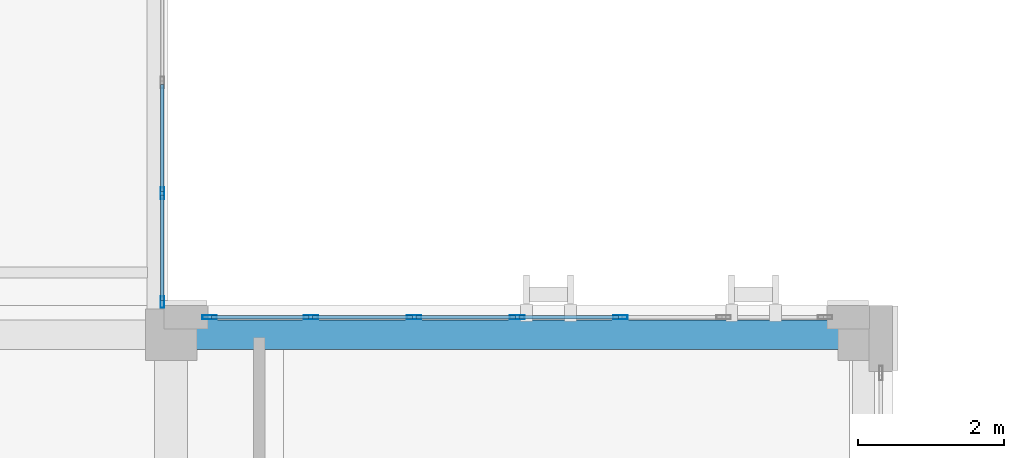
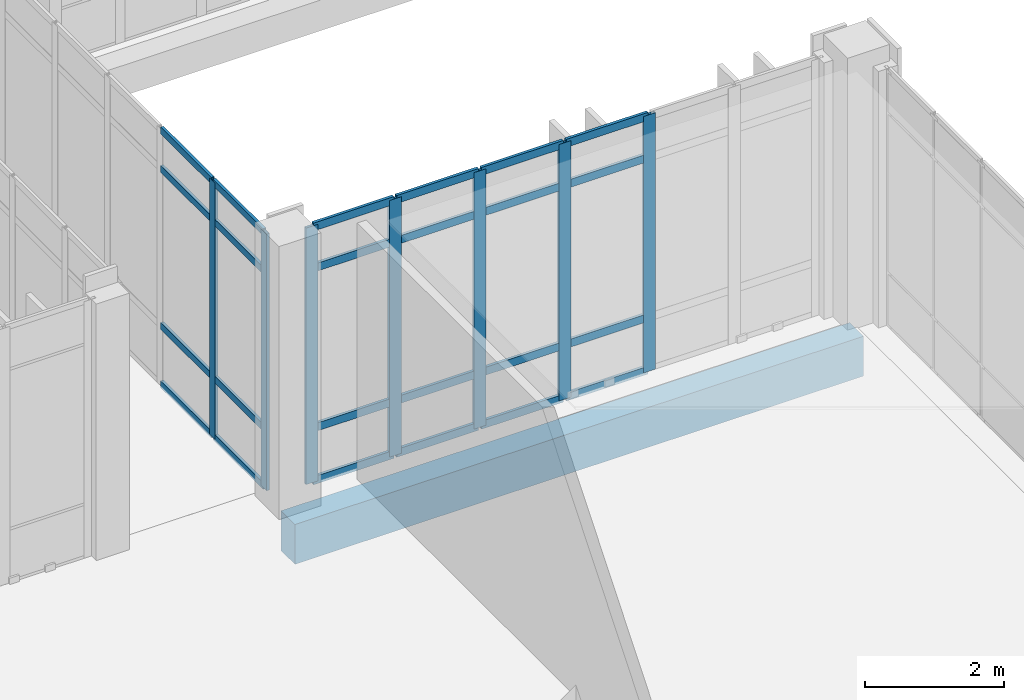
# One storey, part 42 of 189: 31 members, 1 beam, 2 elements without a shape of their own.
"""IFC4 building model written with IfcOpenShell, lengths in metres."""

from ifc_helpers import new_model, si_unit, direction, frame, origin, origin_2d, place, context, subcontext, project, spatial, rectangle, hollow_rectangle, extrude, material, layer, layer_set, material_profile, profile_set, type_object, element, aggregate, save


model = new_model("IFC4")

# Units and contexts
model_context = context("Model", 3, precision=1e-05, world=origin(), true_north=direction((0.0, 1.0)))
body_context = subcontext(model_context, "Body", "Model", "MODEL_VIEW")
ifc_project = project(units=[si_unit("LENGTHUNIT", "METRE"), si_unit("AREAUNIT", "SQUARE_METRE"), si_unit("VOLUMEUNIT", "CUBIC_METRE"), si_unit("PLANEANGLEUNIT", "RADIAN"), si_unit("MASSUNIT", "GRAM", prefix="KILO")], contexts=[model_context])

# Site, building, storey
site_placement = place(None, origin())
site = spatial("IfcSite", under=ifc_project, at=site_placement, CompositionType="ELEMENT")
building_placement = place(site_placement, origin())
building = spatial("IfcBuilding", under=site, at=building_placement, Name="Qalavern Law Courts", CompositionType="ELEMENT")
storey_placement = place(building_placement, frame((0.0, 0.0, 5.39990234375)))
storey = spatial("IfcBuildingStorey", under=building, at=storey_placement, Name="L01", CompositionType="ELEMENT", Elevation=5.39990234375)

# Curtain wall, members
ifc_material_1 = material(Name="Anodised aluminium and insulated glazing", Category="aluminium")
ifc_layer_1 = layer(ifc_material_1, 0.14990234375)
ifc_layer_set_1 = layer_set([ifc_layer_1], Name="Anodised aluminium and insulated glazing")
curtain_wall_type_1 = type_object("IfcCurtainWallType", Name="ENV-CW-BRG", PredefinedType="USERDEFINED", material=ifc_layer_set_1)
curtain_wall_1_placement = place(storey_placement, origin())
curtain_wall_1 = element("IfcCurtainWall", 1, at=curtain_wall_1_placement, inside=storey, type_object=curtain_wall_type_1, Name="Bridge BR-V2-V4 glazed curtain wall L01-2", ObjectType="UNITISED CURTAIN WALL", PredefinedType="USERDEFINED")
ifc_material_2 = material(Name="Anodised aluminium", Category="aluminium")
ifc_material_profile_1 = material_profile(ifc_material_2, hollow_rectangle(XDim=0.048095703125, YDim=0.159912109375, WallThickness=0.00390625, at=origin_2d()), Name="ALU MULLION 48x160")
ifc_profile_set_1 = profile_set([ifc_material_profile_1], Name="Anodised aluminium")
member_type_1 = type_object("IfcMemberType", Name="ENV-CWM-48x160", PredefinedType="MULLION", material=ifc_profile_set_1)
member_1_placement = place(storey_placement, frame((91.22509765625, 30.444091796875, 0.0), z_axis=(0.0, 0.0, 1.0), x_axis=(-1.0, 0.0, 0.0)))
member_1 = element("IfcMember", 2, at=member_1_placement, type_object=member_type_1, Name="CW-06 mullion 1", PredefinedType="MULLION", context=body_context, shape_type="SweptSolid", body=[
    extrude(hollow_rectangle(XDim=0.048095703125, YDim=0.159912109375, WallThickness=0.00390625, at=origin_2d()), origin(), (0.0, 0.0, 1.0), 4.510009765625),
])
member_2_placement = place(storey_placement, frame((91.22509765625, 31.931396484375, 0.0), z_axis=(0.0, 0.0, 1.0), x_axis=(-1.0, 0.0, 0.0)))
member_2 = element("IfcMember", 3, at=member_2_placement, type_object=member_type_1, Name="CW-06 mullion 2", PredefinedType="MULLION", context=body_context, shape_type="SweptSolid", body=[
    extrude(hollow_rectangle(XDim=0.048095703125, YDim=0.159912109375, WallThickness=0.00390625, at=origin_2d()), origin(), (0.0, 0.0, 1.0), 4.510009765625),
])

ifc_layer_2 = layer(ifc_material_1, 0.18505859375)
ifc_layer_set_2 = layer_set([ifc_layer_2], Name="Anodised aluminium and insulated glazing")
curtain_wall_type_2 = type_object("IfcCurtainWallType", Name="ENV-CW-HALL", PredefinedType="USERDEFINED", material=ifc_layer_set_2)
curtain_wall_2_placement = place(storey_placement, origin())
curtain_wall_2 = element("IfcCurtainWall", 4, at=curtain_wall_2_placement, inside=storey, type_object=curtain_wall_type_2, Name="V2 unitised curtain wall L01 north 1", ObjectType="UNITISED CURTAIN WALL", PredefinedType="USERDEFINED")
ifc_material_profile_2 = material_profile(ifc_material_2, hollow_rectangle(XDim=0.048095703125, YDim=0.199951171875, WallThickness=0.00439453125, at=origin_2d()), Name="ALU MULLION 48x200")
ifc_profile_set_2 = profile_set([ifc_material_profile_2], Name="Anodised aluminium")
member_type_2 = type_object("IfcMemberType", Name="ENV-CWM-48x200", PredefinedType="MULLION", material=ifc_profile_set_2)
member_3_placement = place(storey_placement, frame((97.48193359375, 30.237548828125, 0.0), z_axis=(0.0, 0.0, 1.0), x_axis=(0.0, -1.0, 0.0)))
member_3 = element("IfcMember", 5, at=member_3_placement, type_object=member_type_2, Name="CW-02 mullion 3", PredefinedType="MULLION", context=body_context, shape_type="SweptSolid", body=[
    extrude(hollow_rectangle(XDim=0.048095703125, YDim=0.199951171875, WallThickness=0.00439453125, at=origin_2d()), origin(), (0.0, 0.0, 1.0), 4.510009765625),
])
member_4_placement = place(storey_placement, frame((96.07275390625, 30.237548828125, 0.0), z_axis=(0.0, 0.0, 1.0), x_axis=(0.0, -1.0, 0.0)))
member_4 = element("IfcMember", 6, at=member_4_placement, type_object=member_type_2, Name="CW-02 mullion 4", PredefinedType="MULLION", context=body_context, shape_type="SweptSolid", body=[
    extrude(hollow_rectangle(XDim=0.048095703125, YDim=0.199951171875, WallThickness=0.00439453125, at=origin_2d()), origin(), (0.0, 0.0, 1.0), 4.510009765625),
])
member_5_placement = place(storey_placement, frame((94.663818359375, 30.237548828125, 0.0), z_axis=(0.0, 0.0, 1.0), x_axis=(0.0, -1.0, 0.0)))
member_5 = element("IfcMember", 7, at=member_5_placement, type_object=member_type_2, Name="CW-02 mullion 5", PredefinedType="MULLION", context=body_context, shape_type="SweptSolid", body=[
    extrude(hollow_rectangle(XDim=0.048095703125, YDim=0.199951171875, WallThickness=0.00439453125, at=origin_2d()), origin(), (0.0, 0.0, 1.0), 4.510009765625),
])
member_6_placement = place(storey_placement, frame((93.254638671875, 30.237548828125, 0.0), z_axis=(0.0, 0.0, 1.0), x_axis=(0.0, -1.0, 0.0)))
member_6 = element("IfcMember", 8, at=member_6_placement, type_object=member_type_2, Name="CW-02 mullion 6", PredefinedType="MULLION", context=body_context, shape_type="SweptSolid", body=[
    extrude(hollow_rectangle(XDim=0.048095703125, YDim=0.199951171875, WallThickness=0.00439453125, at=origin_2d()), origin(), (0.0, 0.0, 1.0), 4.510009765625),
])
member_7_placement = place(storey_placement, frame((91.86962890625, 30.237548828125, 0.0), z_axis=(0.0, 0.0, 1.0), x_axis=(0.0, -1.0, 0.0)))
member_7 = element("IfcMember", 9, at=member_7_placement, type_object=member_type_2, Name="CW-02 mullion 7", PredefinedType="MULLION", context=body_context, shape_type="SweptSolid", body=[
    extrude(hollow_rectangle(XDim=0.048095703125, YDim=0.199951171875, WallThickness=0.00439453125, at=origin_2d()), origin(), (0.0, 0.0, 1.0), 4.510009765625),
])

# Member
ifc_material_profile_3 = material_profile(ifc_material_2, hollow_rectangle(XDim=0.048095703125, YDim=0.1201171875, WallThickness=0.00390625, at=origin_2d()), Name="ALU TRANSOM 48x120")
ifc_profile_set_3 = profile_set([ifc_material_profile_3], Name="Anodised aluminium")
member_type_3 = type_object("IfcMemberType", Name="ENV-CWT-48x120", PredefinedType="USERDEFINED", material=ifc_profile_set_3)
member_8_placement = place(storey_placement, frame((91.22509765625, 30.468017578125, 0.024169921875), z_axis=(0.0, 1.0, 0.0), x_axis=(-1.0, 0.0, 0.0)))
member_8 = element("IfcMember", 10, at=member_8_placement, type_object=member_type_3, Name="CW-06 transom 1.1", ObjectType="TRANSOM", PredefinedType="USERDEFINED", context=body_context, shape_type="SweptSolid", body=[
    extrude(hollow_rectangle(XDim=0.048095703125, YDim=0.1201171875, WallThickness=0.00390625, at=origin_2d()), origin(), (0.0, 0.0, 1.0), 1.439453125),
])

member_9_placement = place(storey_placement, frame((91.22509765625, 30.468017578125, 1.050048828125), z_axis=(0.0, 1.0, 0.0), x_axis=(-1.0, 0.0, 0.0)))
member_9 = element("IfcMember", 11, at=member_9_placement, type_object=member_type_3, Name="CW-06 transom 1.2", ObjectType="TRANSOM", PredefinedType="USERDEFINED", context=body_context, shape_type="SweptSolid", body=[
    extrude(hollow_rectangle(XDim=0.048095703125, YDim=0.1201171875, WallThickness=0.00390625, at=origin_2d()), origin(), (0.0, 0.0, 1.0), 1.439453125),
])

member_10_placement = place(storey_placement, frame((91.22509765625, 30.468017578125, 3.81005859375), z_axis=(0.0, 1.0, 0.0), x_axis=(-1.0, 0.0, 0.0)))
member_10 = element("IfcMember", 12, at=member_10_placement, type_object=member_type_3, Name="CW-06 transom 1.3", ObjectType="TRANSOM", PredefinedType="USERDEFINED", context=body_context, shape_type="SweptSolid", body=[
    extrude(hollow_rectangle(XDim=0.048095703125, YDim=0.1201171875, WallThickness=0.00390625, at=origin_2d()), origin(), (0.0, 0.0, 1.0), 1.439453125),
])

member_11_placement = place(storey_placement, frame((91.22509765625, 30.468017578125, 4.486083984375), z_axis=(0.0, 1.0, 0.0), x_axis=(-1.0, 0.0, 0.0)))
member_11 = element("IfcMember", 13, at=member_11_placement, type_object=member_type_3, Name="CW-06 transom 1.4", ObjectType="TRANSOM", PredefinedType="USERDEFINED", context=body_context, shape_type="SweptSolid", body=[
    extrude(hollow_rectangle(XDim=0.048095703125, YDim=0.1201171875, WallThickness=0.00390625, at=origin_2d()), origin(), (0.0, 0.0, 1.0), 1.439453125),
])

member_12_placement = place(storey_placement, frame((91.22509765625, 31.955322265625, 0.024169921875), z_axis=(0.0, 1.0, 0.0), x_axis=(-1.0, 0.0, 0.0)))
member_12 = element("IfcMember", 14, at=member_12_placement, type_object=member_type_3, Name="CW-06 transom 2.1", ObjectType="TRANSOM", PredefinedType="USERDEFINED", context=body_context, shape_type="SweptSolid", body=[
    extrude(hollow_rectangle(XDim=0.048095703125, YDim=0.1201171875, WallThickness=0.00390625, at=origin_2d()), origin(), (0.0, 0.0, 1.0), 1.463623046875),
])

member_13_placement = place(storey_placement, frame((91.22509765625, 31.955322265625, 1.050048828125), z_axis=(0.0, 1.0, 0.0), x_axis=(-1.0, 0.0, 0.0)))
member_13 = element("IfcMember", 15, at=member_13_placement, type_object=member_type_3, Name="CW-06 transom 2.2", ObjectType="TRANSOM", PredefinedType="USERDEFINED", context=body_context, shape_type="SweptSolid", body=[
    extrude(hollow_rectangle(XDim=0.048095703125, YDim=0.1201171875, WallThickness=0.00390625, at=origin_2d()), origin(), (0.0, 0.0, 1.0), 1.463623046875),
])

member_14_placement = place(storey_placement, frame((91.22509765625, 31.955322265625, 3.81005859375), z_axis=(0.0, 1.0, 0.0), x_axis=(-1.0, 0.0, 0.0)))
member_14 = element("IfcMember", 16, at=member_14_placement, type_object=member_type_3, Name="CW-06 transom 2.3", ObjectType="TRANSOM", PredefinedType="USERDEFINED", context=body_context, shape_type="SweptSolid", body=[
    extrude(hollow_rectangle(XDim=0.048095703125, YDim=0.1201171875, WallThickness=0.00390625, at=origin_2d()), origin(), (0.0, 0.0, 1.0), 1.463623046875),
])

member_15_placement = place(storey_placement, frame((91.22509765625, 31.955322265625, 4.486083984375), z_axis=(0.0, 1.0, 0.0), x_axis=(-1.0, 0.0, 0.0)))
member_15 = element("IfcMember", 17, at=member_15_placement, type_object=member_type_3, Name="CW-06 transom 2.4", ObjectType="TRANSOM", PredefinedType="USERDEFINED", context=body_context, shape_type="SweptSolid", body=[
    extrude(hollow_rectangle(XDim=0.048095703125, YDim=0.1201171875, WallThickness=0.00390625, at=origin_2d()), origin(), (0.0, 0.0, 1.0), 1.463623046875),
])

aggregate(curtain_wall_1, [member_1, member_2, member_8, member_9, member_10, member_11, member_12, member_13, member_14, member_15])

ifc_material_profile_4 = material_profile(ifc_material_2, hollow_rectangle(XDim=0.048095703125, YDim=0.139892578125, WallThickness=0.00390625, at=origin_2d()), Name="ALU TRANSOM 48x140")
ifc_profile_set_4 = profile_set([ifc_material_profile_4], Name="Anodised aluminium")
member_type_4 = type_object("IfcMemberType", Name="ENV-CWT-48x140", PredefinedType="USERDEFINED", material=ifc_profile_set_4)
member_16_placement = place(storey_placement, frame((97.4580078125, 30.237548828125, 0.024169921875), z_axis=(-1.0, 0.0, 0.0), x_axis=(0.0, -1.0, 0.0)))
member_16 = element("IfcMember", 18, at=member_16_placement, type_object=member_type_4, Name="CW-02 transom 3.1", ObjectType="TRANSOM", PredefinedType="USERDEFINED", context=body_context, shape_type="SweptSolid", body=[
    extrude(hollow_rectangle(XDim=0.048095703125, YDim=0.139892578125, WallThickness=0.00390625, at=origin_2d()), origin(), (0.0, 0.0, 1.0), 1.361083984375),
])

member_17_placement = place(storey_placement, frame((97.4580078125, 30.237548828125, 0.9501953125), z_axis=(-1.0, 0.0, 0.0), x_axis=(0.0, -1.0, 0.0)))
member_17 = element("IfcMember", 19, at=member_17_placement, type_object=member_type_4, Name="CW-02 transom 3.2", ObjectType="TRANSOM", PredefinedType="USERDEFINED", context=body_context, shape_type="SweptSolid", body=[
    extrude(hollow_rectangle(XDim=0.048095703125, YDim=0.139892578125, WallThickness=0.00390625, at=origin_2d()), origin(), (0.0, 0.0, 1.0), 1.361083984375),
])

member_18_placement = place(storey_placement, frame((97.4580078125, 30.237548828125, 3.760009765625), z_axis=(-1.0, 0.0, 0.0), x_axis=(0.0, -1.0, 0.0)))
member_18 = element("IfcMember", 20, at=member_18_placement, type_object=member_type_4, Name="CW-02 transom 3.3", ObjectType="TRANSOM", PredefinedType="USERDEFINED", context=body_context, shape_type="SweptSolid", body=[
    extrude(hollow_rectangle(XDim=0.048095703125, YDim=0.139892578125, WallThickness=0.00390625, at=origin_2d()), origin(), (0.0, 0.0, 1.0), 1.361083984375),
])

member_19_placement = place(storey_placement, frame((97.4580078125, 30.237548828125, 4.486083984375), z_axis=(-1.0, 0.0, 0.0), x_axis=(0.0, -1.0, 0.0)))
member_19 = element("IfcMember", 21, at=member_19_placement, type_object=member_type_4, Name="CW-02 transom 3.4", ObjectType="TRANSOM", PredefinedType="USERDEFINED", context=body_context, shape_type="SweptSolid", body=[
    extrude(hollow_rectangle(XDim=0.048095703125, YDim=0.139892578125, WallThickness=0.00390625, at=origin_2d()), origin(), (0.0, 0.0, 1.0), 1.361083984375),
])

member_20_placement = place(storey_placement, frame((96.048828125, 30.237548828125, 0.024169921875), z_axis=(-1.0, 0.0, 0.0), x_axis=(0.0, -1.0, 0.0)))
member_20 = element("IfcMember", 22, at=member_20_placement, type_object=member_type_4, Name="CW-02 transom 4.1", ObjectType="TRANSOM", PredefinedType="USERDEFINED", context=body_context, shape_type="SweptSolid", body=[
    extrude(hollow_rectangle(XDim=0.048095703125, YDim=0.139892578125, WallThickness=0.00390625, at=origin_2d()), origin(), (0.0, 0.0, 1.0), 1.361083984375),
])

member_21_placement = place(storey_placement, frame((96.048828125, 30.237548828125, 0.9501953125), z_axis=(-1.0, 0.0, 0.0), x_axis=(0.0, -1.0, 0.0)))
member_21 = element("IfcMember", 23, at=member_21_placement, type_object=member_type_4, Name="CW-02 transom 4.2", ObjectType="TRANSOM", PredefinedType="USERDEFINED", context=body_context, shape_type="SweptSolid", body=[
    extrude(hollow_rectangle(XDim=0.048095703125, YDim=0.139892578125, WallThickness=0.00390625, at=origin_2d()), origin(), (0.0, 0.0, 1.0), 1.361083984375),
])

member_22_placement = place(storey_placement, frame((96.048828125, 30.237548828125, 3.760009765625), z_axis=(-1.0, 0.0, 0.0), x_axis=(0.0, -1.0, 0.0)))
member_22 = element("IfcMember", 24, at=member_22_placement, type_object=member_type_4, Name="CW-02 transom 4.3", ObjectType="TRANSOM", PredefinedType="USERDEFINED", context=body_context, shape_type="SweptSolid", body=[
    extrude(hollow_rectangle(XDim=0.048095703125, YDim=0.139892578125, WallThickness=0.00390625, at=origin_2d()), origin(), (0.0, 0.0, 1.0), 1.361083984375),
])

member_23_placement = place(storey_placement, frame((96.048828125, 30.237548828125, 4.486083984375), z_axis=(-1.0, 0.0, 0.0), x_axis=(0.0, -1.0, 0.0)))
member_23 = element("IfcMember", 25, at=member_23_placement, type_object=member_type_4, Name="CW-02 transom 4.4", ObjectType="TRANSOM", PredefinedType="USERDEFINED", context=body_context, shape_type="SweptSolid", body=[
    extrude(hollow_rectangle(XDim=0.048095703125, YDim=0.139892578125, WallThickness=0.00390625, at=origin_2d()), origin(), (0.0, 0.0, 1.0), 1.361083984375),
])

member_24_placement = place(storey_placement, frame((94.639892578125, 30.237548828125, 0.024169921875), z_axis=(-1.0, 0.0, 0.0), x_axis=(0.0, -1.0, 0.0)))
member_24 = element("IfcMember", 26, at=member_24_placement, type_object=member_type_4, Name="CW-02 transom 5.1", ObjectType="TRANSOM", PredefinedType="USERDEFINED", context=body_context, shape_type="SweptSolid", body=[
    extrude(hollow_rectangle(XDim=0.048095703125, YDim=0.139892578125, WallThickness=0.00390625, at=origin_2d()), origin(), (0.0, 0.0, 1.0), 1.361083984375),
])

member_25_placement = place(storey_placement, frame((94.639892578125, 30.237548828125, 0.9501953125), z_axis=(-1.0, 0.0, 0.0), x_axis=(0.0, -1.0, 0.0)))
member_25 = element("IfcMember", 27, at=member_25_placement, type_object=member_type_4, Name="CW-02 transom 5.2", ObjectType="TRANSOM", PredefinedType="USERDEFINED", context=body_context, shape_type="SweptSolid", body=[
    extrude(hollow_rectangle(XDim=0.048095703125, YDim=0.139892578125, WallThickness=0.00390625, at=origin_2d()), origin(), (0.0, 0.0, 1.0), 1.361083984375),
])

member_26_placement = place(storey_placement, frame((94.639892578125, 30.237548828125, 3.760009765625), z_axis=(-1.0, 0.0, 0.0), x_axis=(0.0, -1.0, 0.0)))
member_26 = element("IfcMember", 28, at=member_26_placement, type_object=member_type_4, Name="CW-02 transom 5.3", ObjectType="TRANSOM", PredefinedType="USERDEFINED", context=body_context, shape_type="SweptSolid", body=[
    extrude(hollow_rectangle(XDim=0.048095703125, YDim=0.139892578125, WallThickness=0.00390625, at=origin_2d()), origin(), (0.0, 0.0, 1.0), 1.361083984375),
])

member_27_placement = place(storey_placement, frame((94.639892578125, 30.237548828125, 4.486083984375), z_axis=(-1.0, 0.0, 0.0), x_axis=(0.0, -1.0, 0.0)))
member_27 = element("IfcMember", 29, at=member_27_placement, type_object=member_type_4, Name="CW-02 transom 5.4", ObjectType="TRANSOM", PredefinedType="USERDEFINED", context=body_context, shape_type="SweptSolid", body=[
    extrude(hollow_rectangle(XDim=0.048095703125, YDim=0.139892578125, WallThickness=0.00390625, at=origin_2d()), origin(), (0.0, 0.0, 1.0), 1.361083984375),
])

member_28_placement = place(storey_placement, frame((93.230712890625, 30.237548828125, 0.024169921875), z_axis=(-1.0, 0.0, 0.0), x_axis=(0.0, -1.0, 0.0)))
member_28 = element("IfcMember", 30, at=member_28_placement, type_object=member_type_4, Name="CW-02 transom 6.1", ObjectType="TRANSOM", PredefinedType="USERDEFINED", context=body_context, shape_type="SweptSolid", body=[
    extrude(hollow_rectangle(XDim=0.048095703125, YDim=0.139892578125, WallThickness=0.00390625, at=origin_2d()), origin(), (0.0, 0.0, 1.0), 1.3369140625),
])

member_29_placement = place(storey_placement, frame((93.230712890625, 30.237548828125, 0.9501953125), z_axis=(-1.0, 0.0, 0.0), x_axis=(0.0, -1.0, 0.0)))
member_29 = element("IfcMember", 31, at=member_29_placement, type_object=member_type_4, Name="CW-02 transom 6.2", ObjectType="TRANSOM", PredefinedType="USERDEFINED", context=body_context, shape_type="SweptSolid", body=[
    extrude(hollow_rectangle(XDim=0.048095703125, YDim=0.139892578125, WallThickness=0.00390625, at=origin_2d()), origin(), (0.0, 0.0, 1.0), 1.3369140625),
])

member_30_placement = place(storey_placement, frame((93.230712890625, 30.237548828125, 3.760009765625), z_axis=(-1.0, 0.0, 0.0), x_axis=(0.0, -1.0, 0.0)))
member_30 = element("IfcMember", 32, at=member_30_placement, type_object=member_type_4, Name="CW-02 transom 6.3", ObjectType="TRANSOM", PredefinedType="USERDEFINED", context=body_context, shape_type="SweptSolid", body=[
    extrude(hollow_rectangle(XDim=0.048095703125, YDim=0.139892578125, WallThickness=0.00390625, at=origin_2d()), origin(), (0.0, 0.0, 1.0), 1.3369140625),
])

member_31_placement = place(storey_placement, frame((93.230712890625, 30.237548828125, 4.486083984375), z_axis=(-1.0, 0.0, 0.0), x_axis=(0.0, -1.0, 0.0)))
member_31 = element("IfcMember", 33, at=member_31_placement, type_object=member_type_4, Name="CW-02 transom 6.4", ObjectType="TRANSOM", PredefinedType="USERDEFINED", context=body_context, shape_type="SweptSolid", body=[
    extrude(hollow_rectangle(XDim=0.048095703125, YDim=0.139892578125, WallThickness=0.00390625, at=origin_2d()), origin(), (0.0, 0.0, 1.0), 1.3369140625),
])

aggregate(curtain_wall_2, [member_3, member_4, member_5, member_6, member_7, member_16, member_17, member_18, member_19, member_20, member_21, member_22, member_23, member_24, member_25, member_26, member_27, member_28, member_29, member_30, member_31])

# Beam
ifc_material_3 = material(Name="Concrete C40/50", Category="concrete")
ifc_material_profile_5 = material_profile(ifc_material_3, rectangle(XDim=0.39990234375, YDim=0.699951171875, at=origin_2d()), Name="RC 400x700")
ifc_profile_set_5 = profile_set([ifc_material_profile_5], Name="Concrete C40/50")
beam_type = type_object("IfcBeamType", Name="STR-SP-RC400x700", PredefinedType="SPANDREL", material=ifc_profile_set_5)
beam_placement = place(storey_placement, frame((91.345703125, 30.0, -0.64990234375), z_axis=(1.0, 0.0, 0.0), x_axis=(0.0, 1.0, 0.0)))
element("IfcBeam", 34, at=beam_placement, inside=storey, type_object=beam_type, Name="V2 X-beam 4-7 L01", PredefinedType="SPANDREL", context=body_context, shape_type="SweptSolid", body=[
    extrude(rectangle(XDim=0.39990234375, YDim=0.699951171875, at=origin_2d()), origin(), (0.0, 0.0, 1.0), 9.454345703125),
])

save(model, "model.ifc")
